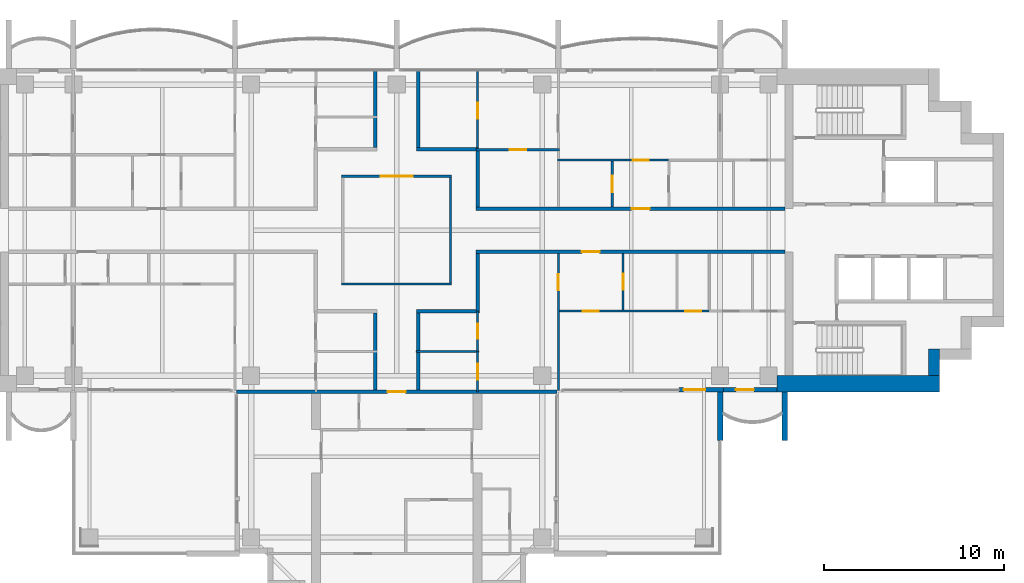
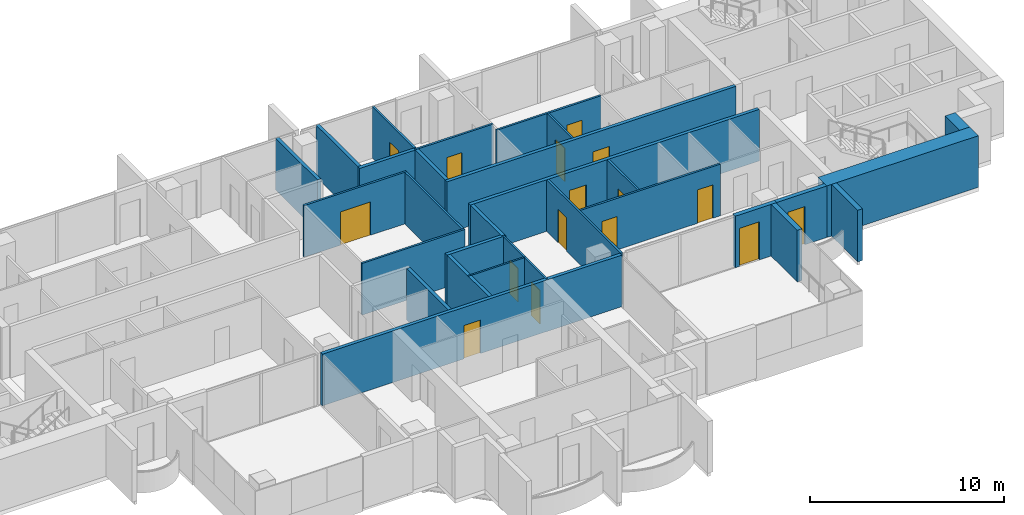
# One storey, part 11 of 17: 30 walls, 16 doors, 16 openings.
"""IFC4 building model written with IfcOpenShell, lengths in metres."""

from ifc_helpers import new_model, si_unit, direction, frame, frame_2d, origin, place, context, subcontext, project, spatial, rectangle, extrude, material, layer, layer_set, type_object, element, fill, save


model = new_model("IFC4")

# Units and contexts
model_context = context("Model", 3, precision=1e-05, world=origin(), true_north=direction((0.0, 1.0)))
body_context = subcontext(model_context, "Body", "Model", "MODEL_VIEW")
ifc_project = project(units=[si_unit("LENGTHUNIT", "METRE"), si_unit("AREAUNIT", "SQUARE_METRE"), si_unit("VOLUMEUNIT", "CUBIC_METRE"), si_unit("PLANEANGLEUNIT", "RADIAN"), si_unit("MASSUNIT", "GRAM", prefix="KILO")], contexts=[model_context])

# Site, building, storey
site_placement = place(None, origin())
site = spatial("IfcSite", under=ifc_project, at=site_placement, CompositionType="ELEMENT")
building_placement = place(site_placement, origin())
building = spatial("IfcBuilding", under=site, at=building_placement, Name="Perihelion Cross Residences", CompositionType="ELEMENT")
storey_placement = place(building_placement, frame((0.0, 0.0, 184.10009765625)))
storey = spatial("IfcBuildingStorey", under=building, at=storey_placement, Name="L45", CompositionType="ELEMENT", Elevation=184.10009765625)

# Wall, opening, door
ifc_material_1 = material(Name="Plasterboard partition")
ifc_layer_1 = layer(ifc_material_1, 0.199951171875)
ifc_layer_set_1 = layer_set([ifc_layer_1], Name="Apartment separation wall 200")
wall_type_1 = type_object("IfcWallType", Name="Apartment separation wall 200", PredefinedType="PARTITIONING", material=ifc_layer_set_1)
wall_1_placement = place(storey_placement, frame((4.39990234375, 1.199951171875, 0.0), z_axis=(0.0, 0.0, 1.0), x_axis=(1.0, 0.0, 0.0)))
wall_1 = element("IfcWall", 1, at=wall_1_placement, inside=storey, type_object=wall_type_1, Name="Partition L45 W005", PredefinedType="PARTITIONING", context=body_context, shape_type="SweptSolid", body=[
    extrude(rectangle(XDim=17.2001953125, YDim=0.199951171875, at=frame_2d((8.60009765625, 0.0))), origin(), (0.0, 0.0, 1.0), 3.25),
])
opening_1_placement = place(wall_1_placement, frame((8.675048828125, 0.0, 0.0)))
opening_1 = element("IfcOpeningElement", 2, at=opening_1_placement, cuts=wall_1, Name="Opening L45.A40", PredefinedType="OPENING", context=body_context, shape_type="SweptSolid", body=[
    extrude(rectangle(XDim=1.0, YDim=2.10009765625, at=frame_2d((0.5, 1.050048828125))), frame((0.0, 0.10986328125, 0.0), z_axis=(0.0, -1.0, 0.0), x_axis=(1.0, 0.0, 0.0)), (0.0, 0.0, 1.0), 0.219970703125),
])
ifc_material_2 = material(Name="Timber door leaf", Category="wood")
door_type_1 = type_object("IfcDoorType", Name="Flat entrance door 1000 x 2100", OperationType="SINGLE_SWING_LEFT", PredefinedType="DOOR", material=ifc_material_2)
door_1_placement = place(opening_1_placement, origin())
door_1 = element("IfcDoor", 3, at=door_1_placement, inside=storey, type_object=door_type_1, Name="Door L45.A40", OperationType="SINGLE_SWING_LEFT", OverallHeight=2.10009765625, OverallWidth=1.0, PredefinedType="DOOR", context=body_context, shape_type="SweptSolid", body=[
    extrude(rectangle(XDim=1.0, YDim=2.10009765625, at=frame_2d((0.5, 1.050048828125))), frame((0.0, 0.02490234375, 0.0), z_axis=(0.0, -1.0, 0.0), x_axis=(1.0, 0.0, 0.0)), (0.0, 0.0, 1.0), 0.050048828125),
])
fill(opening_1, door_1)

# Walls
wall_2_placement = place(storey_placement, frame((4.5, 4.416015625, 0.0), z_axis=(0.0, 0.0, 1.0), x_axis=(0.0, -1.0, 0.0)))
element("IfcWall", 4, at=wall_2_placement, inside=storey, type_object=wall_type_1, Name="Partition L45 W006", PredefinedType="PARTITIONING", context=body_context, shape_type="SweptSolid", body=[
    extrude(rectangle(XDim=3.115966796875, YDim=0.199951171875, at=frame_2d((1.55810546875, 0.0))), origin(), (0.0, 0.0, 1.0), 3.25),
])
wall_3_placement = place(storey_placement, frame((1.199951171875, 8.919921875, 0.0), z_axis=(0.0, 0.0, 1.0), x_axis=(0.0, -1.0, 0.0)))
element("IfcWall", 5, at=wall_3_placement, inside=storey, type_object=wall_type_1, Name="Partition L45 W007", PredefinedType="PARTITIONING", context=body_context, shape_type="SweptSolid", body=[
    extrude(rectangle(XDim=4.31982421875, YDim=0.199951171875, at=frame_2d((2.159912109375, 0.0))), origin(), (0.0, 0.0, 1.0), 3.25),
])
wall_4_placement = place(storey_placement, frame((1.10009765625, 4.5, 0.0), z_axis=(0.0, 0.0, 1.0), x_axis=(1.0, 0.0, 0.0)))
element("IfcWall", 6, at=wall_4_placement, inside=storey, type_object=wall_type_1, Name="Partition L45 W008", PredefinedType="PARTITIONING", context=body_context, shape_type="SweptSolid", body=[
    extrude(rectangle(XDim=3.4599609375, YDim=0.199951171875, at=frame_2d((1.72998046875, 0.0))), origin(), (0.0, 0.0, 1.0), 3.25),
])

# Wall, opening, door
wall_5_placement = place(storey_placement, frame((21.60009765625, -1.199951171875, 0.0), z_axis=(0.0, 0.0, 1.0), x_axis=(-1.0, 0.0, 0.0)))
wall_5 = element("IfcWall", 7, at=wall_5_placement, inside=storey, type_object=wall_type_1, Name="Partition L45 W009", PredefinedType="PARTITIONING", context=body_context, shape_type="SweptSolid", body=[
    extrude(rectangle(XDim=17.2001953125, YDim=0.199951171875, at=frame_2d((8.60009765625, 0.0))), origin(), (0.0, 0.0, 1.0), 3.25),
])
opening_2_placement = place(wall_5_placement, frame((10.300048828125, 0.0, 0.0)))
opening_2 = element("IfcOpeningElement", 8, at=opening_2_placement, cuts=wall_5, Name="Opening L45.A41", PredefinedType="OPENING", context=body_context, shape_type="SweptSolid", body=[
    extrude(rectangle(XDim=1.0, YDim=2.10009765625, at=frame_2d((0.5, 1.050048828125))), frame((0.0, 0.10986328125, 0.0), z_axis=(0.0, -1.0, 0.0), x_axis=(1.0, 0.0, 0.0)), (0.0, 0.0, 1.0), 0.219970703125),
])
door_2_placement = place(opening_2_placement, origin())
door_2 = element("IfcDoor", 9, at=door_2_placement, inside=storey, type_object=door_type_1, Name="Door L45.A41", OperationType="SINGLE_SWING_LEFT", OverallHeight=2.10009765625, OverallWidth=1.0, PredefinedType="DOOR", context=body_context, shape_type="SweptSolid", body=[
    extrude(rectangle(XDim=1.0, YDim=2.10009765625, at=frame_2d((0.5, 1.050048828125))), frame((0.0, 0.02490234375, 0.0), z_axis=(0.0, -1.0, 0.0), x_axis=(1.0, 0.0, 0.0)), (0.0, 0.0, 1.0), 0.050048828125),
])
fill(opening_2, door_2)

# Walls
wall_6_placement = place(storey_placement, frame((4.5, -1.300048828125, 0.0), z_axis=(0.0, 0.0, 1.0), x_axis=(0.0, -1.0, 0.0)))
element("IfcWall", 10, at=wall_6_placement, inside=storey, type_object=wall_type_1, Name="Partition L45 W010", PredefinedType="PARTITIONING", context=body_context, shape_type="SweptSolid", body=[
    extrude(rectangle(XDim=3.199951171875, YDim=0.199951171875, at=frame_2d((1.60009765625, 0.0))), origin(), (0.0, 0.0, 1.0), 3.25),
])
wall_7_placement = place(storey_placement, frame((4.60009765625, -4.5, 0.0), z_axis=(0.0, 0.0, 1.0), x_axis=(-1.0, 0.0, 0.0)))
element("IfcWall", 11, at=wall_7_placement, inside=storey, type_object=wall_type_1, Name="Partition L45 W011", PredefinedType="PARTITIONING", context=body_context, shape_type="SweptSolid", body=[
    extrude(rectangle(XDim=3.5, YDim=0.199951171875, at=frame_2d((1.75, 0.0))), origin(), (0.0, 0.0, 1.0), 3.25),
])
wall_8_placement = place(storey_placement, frame((1.199951171875, -4.60009765625, 0.0), z_axis=(0.0, 0.0, 1.0), x_axis=(0.0, -1.0, 0.0)))
element("IfcWall", 12, at=wall_8_placement, inside=storey, type_object=wall_type_1, Name="Partition L45 W012", PredefinedType="PARTITIONING", context=body_context, shape_type="SweptSolid", body=[
    extrude(rectangle(XDim=4.2998046875, YDim=0.199951171875, at=frame_2d((2.14990234375, 0.0))), origin(), (0.0, 0.0, 1.0), 3.25),
])
wall_9_placement = place(storey_placement, frame((-1.199951171875, 4.60009765625, 0.0), z_axis=(0.0, 0.0, 1.0), x_axis=(0.0, 1.0, 0.0)))
element("IfcWall", 13, at=wall_9_placement, inside=storey, type_object=wall_type_1, Name="Partition L45 W016", PredefinedType="PARTITIONING", context=body_context, shape_type="SweptSolid", body=[
    extrude(rectangle(XDim=4.31982421875, YDim=0.199951171875, at=frame_2d((2.159912109375, 0.0))), origin(), (0.0, 0.0, 1.0), 3.25),
])
wall_10_placement = place(storey_placement, frame((-1.199951171875, -8.89990234375, 0.0), z_axis=(0.0, 0.0, 1.0), x_axis=(0.0, 1.0, 0.0)))
element("IfcWall", 14, at=wall_10_placement, inside=storey, type_object=wall_type_1, Name="Partition L45 W019", PredefinedType="PARTITIONING", context=body_context, shape_type="SweptSolid", body=[
    extrude(rectangle(XDim=4.2998046875, YDim=0.199951171875, at=frame_2d((2.14990234375, 0.0))), origin(), (0.0, 0.0, 1.0), 3.25),
])

# Wall, opening, door
wall_11_placement = place(storey_placement, frame((8.919921875, -9.0, 0.0), z_axis=(0.0, 0.0, 1.0), x_axis=(-1.0, 0.0, 0.0)))
wall_11 = element("IfcWall", 15, at=wall_11_placement, inside=storey, type_object=wall_type_1, Name="Partition L45 W021", PredefinedType="PARTITIONING", context=body_context, shape_type="SweptSolid", body=[
    extrude(rectangle(XDim=17.83984375, YDim=0.199951171875, at=frame_2d((8.919921875, 0.0))), origin(), (0.0, 0.0, 1.0), 3.25),
])
opening_3_placement = place(wall_11_placement, frame((8.419921875, 0.0, 0.0)))
opening_3 = element("IfcOpeningElement", 16, at=opening_3_placement, cuts=wall_11, Name="Opening L45.A34", PredefinedType="OPENING", context=body_context, shape_type="SweptSolid", body=[
    extrude(rectangle(XDim=1.0, YDim=2.10009765625, at=frame_2d((0.5, 1.050048828125))), frame((0.0, 0.10986328125, 0.0), z_axis=(0.0, -1.0, 0.0), x_axis=(1.0, 0.0, 0.0)), (0.0, 0.0, 1.0), 0.219970703125),
])
door_3_placement = place(opening_3_placement, origin())
door_3 = element("IfcDoor", 17, at=door_3_placement, inside=storey, type_object=door_type_1, Name="Door L45.A34", OperationType="SINGLE_SWING_RIGHT", OverallHeight=2.10009765625, OverallWidth=1.0, PredefinedType="DOOR", context=body_context, shape_type="SweptSolid", body=[
    extrude(rectangle(XDim=1.0, YDim=2.10009765625, at=frame_2d((0.5, 1.050048828125))), frame((0.0, 0.02490234375, 0.0), z_axis=(0.0, -1.0, 0.0), x_axis=(1.0, 0.0, 0.0)), (0.0, 0.0, 1.0), 0.050048828125),
])
fill(opening_3, door_3)

ifc_material_3 = material(Name="Concrete C30/37, bronze-clad", Category="concrete")
ifc_layer_2 = layer(ifc_material_3, 0.25)
ifc_layer_set_2 = layer_set([ifc_layer_2], Name="Bronze-clad pier wall 250")
wall_type_2 = type_object("IfcWallType", Name="Bronze-clad pier wall 250", PredefinedType="SOLIDWALL", material=ifc_layer_set_2)
wall_12_placement = place(storey_placement, frame((15.72509765625, -8.875, 0.0), z_axis=(0.0, 0.0, 1.0), x_axis=(1.0, 0.0, 0.0)))
wall_12 = element("IfcWall", 18, at=wall_12_placement, inside=storey, type_object=wall_type_2, Name="Wall FW1 L45 east side south bay 1 pier", PredefinedType="SOLIDWALL", context=body_context, shape_type="SweptSolid", body=[
    extrude(rectangle(XDim=2.474853515625, YDim=0.25, at=frame_2d((1.2373046875, 0.0))), origin(), (0.0, 0.0, 1.0), 3.25),
])
opening_4_placement = place(wall_12_placement, frame((0.25, 0.0, 0.0)))
opening_4 = element("IfcOpeningElement", 19, at=opening_4_placement, cuts=wall_12, Name="Opening L45.E13", PredefinedType="OPENING", context=body_context, shape_type="SweptSolid", body=[
    extrude(rectangle(XDim=1.199951171875, YDim=2.39990234375, at=frame_2d((0.60009765625, 1.199951171875))), frame((0.0, 0.135009765625, 0.0), z_axis=(0.0, -1.0, 0.0), x_axis=(1.0, 0.0, 0.0)), (0.0, 0.0, 1.0), 0.27001953125),
])
ifc_material_4 = material(Name="Bronze anodised aluminium, glazed", Category="aluminium")
door_type_2 = type_object("IfcDoorType", Name="Balcony door 1200 x 2400", OperationType="NOTDEFINED", PredefinedType="DOOR", material=ifc_material_4)
door_4_placement = place(opening_4_placement, origin())
door_4 = element("IfcDoor", 20, at=door_4_placement, inside=storey, type_object=door_type_2, Name="Door L45.E13 east side south bay 1", OperationType="SINGLE_SWING_LEFT", OverallHeight=2.39990234375, OverallWidth=1.199951171875, PredefinedType="DOOR", context=body_context, shape_type="SweptSolid", body=[
    extrude(rectangle(XDim=1.199951171875, YDim=2.39990234375, at=frame_2d((0.60009765625, 1.199951171875))), frame((0.0, 0.02490234375, 0.0), z_axis=(0.0, -1.0, 0.0), x_axis=(1.0, 0.0, 0.0)), (0.0, 0.0, 1.0), 0.050048828125),
])
fill(opening_4, door_4)

wall_13_placement = place(storey_placement, frame((18.199951171875, -8.875, 0.0), z_axis=(0.0, 0.0, 1.0), x_axis=(1.0, 0.0, 0.0)))
wall_13 = element("IfcWall", 21, at=wall_13_placement, inside=storey, type_object=wall_type_2, Name="Wall FW1 L45 east side south bay 2 pier", PredefinedType="SOLIDWALL", context=body_context, shape_type="SweptSolid", body=[
    extrude(rectangle(XDim=2.97509765625, YDim=0.25, at=frame_2d((1.487548828125, 0.0))), origin(), (0.0, 0.0, 1.0), 3.25),
])
opening_5_placement = place(wall_13_placement, frame((0.675048828125, 0.0, 0.0)))
opening_5 = element("IfcOpeningElement", 22, at=opening_5_placement, cuts=wall_13, Name="Opening L45.E14", PredefinedType="OPENING", context=body_context, shape_type="SweptSolid", body=[
    extrude(rectangle(XDim=1.0, YDim=2.39990234375, at=frame_2d((0.5, 1.199951171875))), frame((0.0, 0.135009765625, 0.0), z_axis=(0.0, -1.0, 0.0), x_axis=(1.0, 0.0, 0.0)), (0.0, 0.0, 1.0), 0.27001953125),
])
ifc_material_5 = material(Name="Bronze anodised aluminium, glazed", Category="aluminium")
door_type_3 = type_object("IfcDoorType", Name="Balcony door 1000 x 2400", OperationType="NOTDEFINED", PredefinedType="DOOR", material=ifc_material_5)
door_5_placement = place(opening_5_placement, origin())
door_5 = element("IfcDoor", 23, at=door_5_placement, inside=storey, type_object=door_type_3, Name="Door L45.E14 east side south bay 2", OperationType="SINGLE_SWING_RIGHT", OverallHeight=2.39990234375, OverallWidth=1.0, PredefinedType="DOOR", context=body_context, shape_type="SweptSolid", body=[
    extrude(rectangle(XDim=1.0, YDim=2.39990234375, at=frame_2d((0.5, 1.199951171875))), frame((0.0, 0.02490234375, 0.0), z_axis=(0.0, -1.0, 0.0), x_axis=(1.0, 0.0, 0.0)), (0.0, 0.0, 1.0), 0.050048828125),
])
fill(opening_5, door_5)

# Walls
ifc_material_6 = material(Name="Concrete C60/75", Category="concrete")
ifc_layer_3 = layer(ifc_material_6, 0.60009765625)
ifc_layer_set_3 = layer_set([ifc_layer_3], Name="Core wall, outer 600")
wall_type_3 = type_object("IfcWallType", Name="Core wall, outer 600", PredefinedType="SHEAR", material=ifc_layer_set_3)
wall_14_placement = place(storey_placement, frame((29.89990234375, -8.10009765625, 0.0), z_axis=(0.0, 0.0, 1.0), x_axis=(0.0, 1.0, 0.0)))
element("IfcWall", 24, at=wall_14_placement, inside=storey, type_object=wall_type_3, Name="East core core wall, outer", PredefinedType="SHEAR", context=body_context, shape_type="SweptSolid", body=[
    extrude(rectangle(XDim=1.5, YDim=0.60009765625, at=frame_2d((0.75, 0.0))), origin(), (0.0, 0.0, 1.0), 3.25),
])
ifc_material_7 = material(Name="Concrete C60/75", Category="concrete")
ifc_layer_4 = layer(ifc_material_7, 0.89990234375)
ifc_layer_set_4 = layer_set([ifc_layer_4], Name="Core wall, outer 900")
wall_type_4 = type_object("IfcWallType", Name="Core wall, outer 900", PredefinedType="SHEAR", material=ifc_layer_set_4)
wall_15_placement = place(storey_placement, frame((21.175048828125, -8.550048828125, 0.0), z_axis=(0.0, 0.0, 1.0), x_axis=(1.0, 0.0, 0.0)))
element("IfcWall", 25, at=wall_15_placement, inside=storey, type_object=wall_type_4, Name="East core core wall, outer", PredefinedType="SHEAR", context=body_context, shape_type="SweptSolid", body=[
    extrude(rectangle(XDim=9.02490234375, YDim=0.89990234375, at=frame_2d((4.512451171875, 0.0))), origin(), (0.0, 0.0, 1.0), 3.25),
])
ifc_material_8 = material(Name="Plasterboard partition")
ifc_layer_5 = layer(ifc_material_8, 0.1201171875)
ifc_layer_set_5 = layer_set([ifc_layer_5], Name="Partition wall 120")
wall_type_5 = type_object("IfcWallType", Name="Partition wall 120", PredefinedType="PARTITIONING", material=ifc_layer_set_5)
wall_16_placement = place(storey_placement, frame((-3.06005859375, -3.0, 0.0), z_axis=(0.0, 0.0, 1.0), x_axis=(1.0, 0.0, 0.0)))
element("IfcWall", 26, at=wall_16_placement, inside=storey, type_object=wall_type_5, Name="Partition L45 W001", PredefinedType="PARTITIONING", context=body_context, shape_type="SweptSolid", body=[
    extrude(rectangle(XDim=6.1201171875, YDim=0.1201171875, at=frame_2d((3.06005859375, 0.0))), origin(), (0.0, 0.0, 1.0), 3.25),
])
wall_17_placement = place(storey_placement, frame((3.0, -2.93994140625, 0.0), z_axis=(0.0, 0.0, 1.0), x_axis=(0.0, 1.0, 0.0)))
element("IfcWall", 27, at=wall_17_placement, inside=storey, type_object=wall_type_5, Name="Partition L45 W002", PredefinedType="PARTITIONING", context=body_context, shape_type="SweptSolid", body=[
    extrude(rectangle(XDim=5.8798828125, YDim=0.1201171875, at=frame_2d((2.93994140625, 0.0))), origin(), (0.0, 0.0, 1.0), 3.25),
])

# Wall, opening, door
wall_18_placement = place(storey_placement, frame((3.06005859375, 3.0, 0.0), z_axis=(0.0, 0.0, 1.0), x_axis=(-1.0, 0.0, 0.0)))
wall_18 = element("IfcWall", 28, at=wall_18_placement, inside=storey, type_object=wall_type_5, Name="Partition L45 W003", PredefinedType="PARTITIONING", context=body_context, shape_type="SweptSolid", body=[
    extrude(rectangle(XDim=6.1201171875, YDim=0.1201171875, at=frame_2d((3.06005859375, 0.0))), origin(), (0.0, 0.0, 1.0), 3.25),
])
opening_6_placement = place(wall_18_placement, frame((2.159912109375, 0.0, 0.0)))
opening_6 = element("IfcOpeningElement", 29, at=opening_6_placement, cuts=wall_18, Name="Opening L45.A01", PredefinedType="OPENING", context=body_context, shape_type="SweptSolid", body=[
    extrude(rectangle(XDim=1.800048828125, YDim=2.10009765625, at=frame_2d((0.89990234375, 1.050048828125))), frame((0.0, 0.070068359375, 0.0), z_axis=(0.0, -1.0, 0.0), x_axis=(1.0, 0.0, 0.0)), (0.0, 0.0, 1.0), 0.14013671875),
])
ifc_material_9 = material(Name="Glazed timber door leaf", Category="wood")
door_type_4 = type_object("IfcDoorType", Name="Interior double leaf door 1800 x 2100", OperationType="DOUBLE_DOOR_SINGLE_SWING", PredefinedType="DOOR", material=ifc_material_9)
door_6_placement = place(opening_6_placement, origin())
door_6 = element("IfcDoor", 30, at=door_6_placement, inside=storey, type_object=door_type_4, Name="Door L45.A01", OperationType="SINGLE_SWING_LEFT", OverallHeight=2.10009765625, OverallWidth=1.800048828125, PredefinedType="DOOR", context=body_context, shape_type="SweptSolid", body=[
    extrude(rectangle(XDim=1.800048828125, YDim=2.10009765625, at=frame_2d((0.89990234375, 1.050048828125))), frame((0.0, 0.02490234375, 0.0), z_axis=(0.0, -1.0, 0.0), x_axis=(1.0, 0.0, 0.0)), (0.0, 0.0, 1.0), 0.050048828125),
])
fill(opening_6, door_6)

wall_19_placement = place(storey_placement, frame((12.0, 3.840087890625, 0.0), z_axis=(0.0, 0.0, 1.0), x_axis=(0.0, -1.0, 0.0)))
wall_19 = element("IfcWall", 31, at=wall_19_placement, inside=storey, type_object=wall_type_5, Name="Partition L45 W022", PredefinedType="PARTITIONING", context=body_context, shape_type="SweptSolid", body=[
    extrude(rectangle(XDim=2.5400390625, YDim=0.1201171875, at=frame_2d((1.27001953125, 0.0))), origin(), (0.0, 0.0, 1.0), 3.25),
])
opening_7_placement = place(wall_19_placement, frame((0.820068359375, 0.0, 0.0)))
opening_7 = element("IfcOpeningElement", 32, at=opening_7_placement, cuts=wall_19, Name="Opening L45.A03", PredefinedType="OPENING", context=body_context, shape_type="SweptSolid", body=[
    extrude(rectangle(XDim=0.89990234375, YDim=2.10009765625, at=frame_2d((0.449951171875, 1.050048828125))), frame((0.0, 0.070068359375, 0.0), z_axis=(0.0, -1.0, 0.0), x_axis=(1.0, 0.0, 0.0)), (0.0, 0.0, 1.0), 0.14013671875),
])
ifc_material_10 = material(Name="Timber door leaf", Category="wood")
door_type_5 = type_object("IfcDoorType", Name="Interior room door 900 x 2100", OperationType="SINGLE_SWING_LEFT", PredefinedType="DOOR", material=ifc_material_10)
door_7_placement = place(opening_7_placement, origin())
door_7 = element("IfcDoor", 33, at=door_7_placement, inside=storey, type_object=door_type_5, Name="Door L45.A03", OperationType="SINGLE_SWING_RIGHT", OverallHeight=2.10009765625, OverallWidth=0.89990234375, PredefinedType="DOOR", context=body_context, shape_type="SweptSolid", body=[
    extrude(rectangle(XDim=0.89990234375, YDim=2.10009765625, at=frame_2d((0.449951171875, 1.050048828125))), frame((0.0, 0.02490234375, 0.0), z_axis=(0.0, -1.0, 0.0), x_axis=(1.0, 0.0, 0.0)), (0.0, 0.0, 1.0), 0.050048828125),
])
fill(opening_7, door_7)

wall_20_placement = place(storey_placement, frame((8.93994140625, 3.89990234375, 0.0), z_axis=(0.0, 0.0, 1.0), x_axis=(1.0, 0.0, 0.0)))
wall_20 = element("IfcWall", 34, at=wall_20_placement, inside=storey, type_object=wall_type_5, Name="Partition L45 W023", PredefinedType="PARTITIONING", context=body_context, shape_type="SweptSolid", body=[
    extrude(rectangle(XDim=6.2099609375, YDim=0.1201171875, at=frame_2d((3.10498046875, 0.0))), origin(), (0.0, 0.0, 1.0), 3.25),
])
opening_8_placement = place(wall_20_placement, frame((4.18505859375, 0.0, 0.0)))
opening_8 = element("IfcOpeningElement", 35, at=opening_8_placement, cuts=wall_20, Name="Opening L45.A08", PredefinedType="OPENING", context=body_context, shape_type="SweptSolid", body=[
    extrude(rectangle(XDim=0.89990234375, YDim=2.10009765625, at=frame_2d((0.449951171875, 1.050048828125))), frame((0.0, 0.070068359375, 0.0), z_axis=(0.0, -1.0, 0.0), x_axis=(1.0, 0.0, 0.0)), (0.0, 0.0, 1.0), 0.14013671875),
])
door_8_placement = place(opening_8_placement, origin())
door_8 = element("IfcDoor", 36, at=door_8_placement, inside=storey, type_object=door_type_5, Name="Door L45.A08", OperationType="SINGLE_SWING_LEFT", OverallHeight=2.10009765625, OverallWidth=0.89990234375, PredefinedType="DOOR", context=body_context, shape_type="SweptSolid", body=[
    extrude(rectangle(XDim=0.89990234375, YDim=2.10009765625, at=frame_2d((0.449951171875, 1.050048828125))), frame((0.0, 0.02490234375, 0.0), z_axis=(0.0, -1.0, 0.0), x_axis=(1.0, 0.0, 0.0)), (0.0, 0.0, 1.0), 0.050048828125),
])
fill(opening_8, door_8)

wall_21_placement = place(storey_placement, frame((4.39990234375, 4.47607421875, 0.0), z_axis=(0.0, 0.0, 1.0), x_axis=(1.0, 0.0, 0.0)))
wall_21 = element("IfcWall", 37, at=wall_21_placement, inside=storey, type_object=wall_type_5, Name="Partition L45 W030", PredefinedType="PARTITIONING", context=body_context, shape_type="SweptSolid", body=[
    extrude(rectangle(XDim=4.66015625, YDim=0.1201171875, at=frame_2d((2.330078125, 0.0))), origin(), (0.0, 0.0, 1.0), 3.25),
])
opening_9_placement = place(wall_21_placement, frame((1.89990234375, 0.0, 0.0)))
opening_9 = element("IfcOpeningElement", 38, at=opening_9_placement, cuts=wall_21, Name="Opening L45.A04", PredefinedType="OPENING", context=body_context, shape_type="SweptSolid", body=[
    extrude(rectangle(XDim=0.89990234375, YDim=2.10009765625, at=frame_2d((0.449951171875, 1.050048828125))), frame((0.0, 0.070068359375, 0.0), z_axis=(0.0, -1.0, 0.0), x_axis=(1.0, 0.0, 0.0)), (0.0, 0.0, 1.0), 0.14013671875),
])
door_9_placement = place(opening_9_placement, origin())
door_9 = element("IfcDoor", 39, at=door_9_placement, inside=storey, type_object=door_type_5, Name="Door L45.A04", OperationType="SINGLE_SWING_LEFT", OverallHeight=2.10009765625, OverallWidth=0.89990234375, PredefinedType="DOOR", context=body_context, shape_type="SweptSolid", body=[
    extrude(rectangle(XDim=0.89990234375, YDim=2.10009765625, at=frame_2d((0.449951171875, 1.050048828125))), frame((0.0, 0.02490234375, 0.0), z_axis=(0.0, -1.0, 0.0), x_axis=(1.0, 0.0, 0.0)), (0.0, 0.0, 1.0), 0.050048828125),
])
fill(opening_9, door_9)

wall_22_placement = place(storey_placement, frame((4.5, 4.60009765625, 0.0), z_axis=(0.0, 0.0, 1.0), x_axis=(0.0, 1.0, 0.0)))
wall_22 = element("IfcWall", 40, at=wall_22_placement, inside=storey, type_object=wall_type_5, Name="Partition L45 W031", PredefinedType="PARTITIONING", context=body_context, shape_type="SweptSolid", body=[
    extrude(rectangle(XDim=4.31982421875, YDim=0.1201171875, at=frame_2d((2.159912109375, 0.0))), origin(), (0.0, 0.0, 1.0), 3.25),
])
opening_10_placement = place(wall_22_placement, frame((1.60009765625, 0.0, 0.0)))
opening_10 = element("IfcOpeningElement", 41, at=opening_10_placement, cuts=wall_22, Name="Opening L45.A05", PredefinedType="OPENING", context=body_context, shape_type="SweptSolid", body=[
    extrude(rectangle(XDim=0.89990234375, YDim=2.10009765625, at=frame_2d((0.449951171875, 1.050048828125))), frame((0.0, 0.070068359375, 0.0), z_axis=(0.0, -1.0, 0.0), x_axis=(1.0, 0.0, 0.0)), (0.0, 0.0, 1.0), 0.14013671875),
])
door_10_placement = place(opening_10_placement, origin())
door_10 = element("IfcDoor", 42, at=door_10_placement, inside=storey, type_object=door_type_5, Name="Door L45.A05", OperationType="SINGLE_SWING_LEFT", OverallHeight=2.10009765625, OverallWidth=0.89990234375, PredefinedType="DOOR", context=body_context, shape_type="SweptSolid", body=[
    extrude(rectangle(XDim=0.89990234375, YDim=2.10009765625, at=frame_2d((0.449951171875, 1.050048828125))), frame((0.0, 0.02490234375, 0.0), z_axis=(0.0, -1.0, 0.0), x_axis=(1.0, 0.0, 0.0)), (0.0, 0.0, 1.0), 0.050048828125),
])
fill(opening_10, door_10)

wall_23_placement = place(storey_placement, frame((12.60009765625, -1.300048828125, 0.0), z_axis=(0.0, 0.0, 1.0), x_axis=(0.0, -1.0, 0.0)))
wall_23 = element("IfcWall", 43, at=wall_23_placement, inside=storey, type_object=wall_type_5, Name="Partition L45 W032", PredefinedType="PARTITIONING", context=body_context, shape_type="SweptSolid", body=[
    extrude(rectangle(XDim=3.139892578125, YDim=0.1201171875, at=frame_2d((1.56982421875, 0.0))), origin(), (0.0, 0.0, 1.0), 3.25),
])
opening_11_placement = place(wall_23_placement, frame((1.1201171875, 0.0, 0.0)))
opening_11 = element("IfcOpeningElement", 44, at=opening_11_placement, cuts=wall_23, Name="Opening L45.A14", PredefinedType="OPENING", context=body_context, shape_type="SweptSolid", body=[
    extrude(rectangle(XDim=0.89990234375, YDim=2.10009765625, at=frame_2d((0.449951171875, 1.050048828125))), frame((0.0, 0.070068359375, 0.0), z_axis=(0.0, -1.0, 0.0), x_axis=(1.0, 0.0, 0.0)), (0.0, 0.0, 1.0), 0.14013671875),
])
door_11_placement = place(opening_11_placement, origin())
door_11 = element("IfcDoor", 45, at=door_11_placement, inside=storey, type_object=door_type_5, Name="Door L45.A14", OperationType="SINGLE_SWING_RIGHT", OverallHeight=2.10009765625, OverallWidth=0.89990234375, PredefinedType="DOOR", context=body_context, shape_type="SweptSolid", body=[
    extrude(rectangle(XDim=0.89990234375, YDim=2.10009765625, at=frame_2d((0.449951171875, 1.050048828125))), frame((0.0, 0.02490234375, 0.0), z_axis=(0.0, -1.0, 0.0), x_axis=(1.0, 0.0, 0.0)), (0.0, 0.0, 1.0), 0.050048828125),
])
fill(opening_11, door_11)

# Wall, openings, doors
wall_24_placement = place(storey_placement, frame((17.39990234375, -4.5, 0.0), z_axis=(0.0, 0.0, 1.0), x_axis=(-1.0, 0.0, 0.0)))
wall_24 = element("IfcWall", 46, at=wall_24_placement, inside=storey, type_object=wall_type_5, Name="Partition L45 W033", PredefinedType="PARTITIONING", context=body_context, shape_type="SweptSolid", body=[
    extrude(rectangle(XDim=8.4599609375, YDim=0.1201171875, at=frame_2d((4.22998046875, 0.0))), origin(), (0.0, 0.0, 1.0), 3.25),
])
opening_12_placement = place(wall_24_placement, frame((0.449951171875, 0.0, 0.0)))
opening_12 = element("IfcOpeningElement", 47, at=opening_12_placement, cuts=wall_24, Name="Opening L45.A15", PredefinedType="OPENING", context=body_context, shape_type="SweptSolid", body=[
    extrude(rectangle(XDim=0.89990234375, YDim=2.10009765625, at=frame_2d((0.449951171875, 1.050048828125))), frame((0.0, 0.070068359375, 0.0), z_axis=(0.0, -1.0, 0.0), x_axis=(1.0, 0.0, 0.0)), (0.0, 0.0, 1.0), 0.14013671875),
])
opening_13_placement = place(wall_24_placement, frame((6.14990234375, 0.0, 0.0)))
opening_13 = element("IfcOpeningElement", 48, at=opening_13_placement, cuts=wall_24, Name="Opening L45.A17", PredefinedType="OPENING", context=body_context, shape_type="SweptSolid", body=[
    extrude(rectangle(XDim=0.89990234375, YDim=2.10009765625, at=frame_2d((0.449951171875, 1.050048828125))), frame((0.0, 0.070068359375, 0.0), z_axis=(0.0, -1.0, 0.0), x_axis=(1.0, 0.0, 0.0)), (0.0, 0.0, 1.0), 0.14013671875),
])
door_12_placement = place(opening_12_placement, origin())
door_12 = element("IfcDoor", 49, at=door_12_placement, inside=storey, type_object=door_type_5, Name="Door L45.A15", OperationType="SINGLE_SWING_RIGHT", OverallHeight=2.10009765625, OverallWidth=0.89990234375, PredefinedType="DOOR", context=body_context, shape_type="SweptSolid", body=[
    extrude(rectangle(XDim=0.89990234375, YDim=2.10009765625, at=frame_2d((0.449951171875, 1.050048828125))), frame((0.0, 0.02490234375, 0.0), z_axis=(0.0, -1.0, 0.0), x_axis=(1.0, 0.0, 0.0)), (0.0, 0.0, 1.0), 0.050048828125),
])
fill(opening_12, door_12)
door_13_placement = place(opening_13_placement, origin())
door_13 = element("IfcDoor", 50, at=door_13_placement, inside=storey, type_object=door_type_5, Name="Door L45.A17", OperationType="SINGLE_SWING_RIGHT", OverallHeight=2.10009765625, OverallWidth=0.89990234375, PredefinedType="DOOR", context=body_context, shape_type="SweptSolid", body=[
    extrude(rectangle(XDim=0.89990234375, YDim=2.10009765625, at=frame_2d((0.449951171875, 1.050048828125))), frame((0.0, 0.02490234375, 0.0), z_axis=(0.0, -1.0, 0.0), x_axis=(1.0, 0.0, 0.0)), (0.0, 0.0, 1.0), 0.050048828125),
])
fill(opening_13, door_13)

# Wall, opening, door
wall_25_placement = place(storey_placement, frame((9.0, -8.919921875, 0.0), z_axis=(0.0, 0.0, 1.0), x_axis=(0.0, 1.0, 0.0)))
wall_25 = element("IfcWall", 51, at=wall_25_placement, inside=storey, type_object=wall_type_5, Name="Partition L45 W034", PredefinedType="PARTITIONING", context=body_context, shape_type="SweptSolid", body=[
    extrude(rectangle(XDim=7.619873046875, YDim=0.1201171875, at=frame_2d((3.81005859375, 0.0))), origin(), (0.0, 0.0, 1.0), 3.25),
])
opening_14_placement = place(wall_25_placement, frame((5.570068359375, 0.0, 0.0)))
opening_14 = element("IfcOpeningElement", 52, at=opening_14_placement, cuts=wall_25, Name="Opening L45.A13", PredefinedType="OPENING", context=body_context, shape_type="SweptSolid", body=[
    extrude(rectangle(XDim=0.89990234375, YDim=2.10009765625, at=frame_2d((0.449951171875, 1.050048828125))), frame((0.0, 0.070068359375, 0.0), z_axis=(0.0, -1.0, 0.0), x_axis=(1.0, 0.0, 0.0)), (0.0, 0.0, 1.0), 0.14013671875),
])
door_14_placement = place(opening_14_placement, origin())
door_14 = element("IfcDoor", 53, at=door_14_placement, inside=storey, type_object=door_type_5, Name="Door L45.A13", OperationType="SINGLE_SWING_LEFT", OverallHeight=2.10009765625, OverallWidth=0.89990234375, PredefinedType="DOOR", context=body_context, shape_type="SweptSolid", body=[
    extrude(rectangle(XDim=0.89990234375, YDim=2.10009765625, at=frame_2d((0.449951171875, 1.050048828125))), frame((0.0, 0.02490234375, 0.0), z_axis=(0.0, -1.0, 0.0), x_axis=(1.0, 0.0, 0.0)), (0.0, 0.0, 1.0), 0.050048828125),
])
fill(opening_14, door_14)

wall_26_placement = place(storey_placement, frame((4.5, -9.0, 0.0), z_axis=(0.0, 0.0, 1.0), x_axis=(0.0, 1.0, 0.0)))
wall_26 = element("IfcWall", 54, at=wall_26_placement, inside=storey, type_object=wall_type_5, Name="Partition L45 W041", PredefinedType="PARTITIONING", context=body_context, shape_type="SweptSolid", body=[
    extrude(rectangle(XDim=2.25, YDim=0.1201171875, at=frame_2d((1.125, 0.0))), origin(), (0.0, 0.0, 1.0), 3.25),
])
opening_15_placement = place(wall_26_placement, frame((0.675048828125, 0.0, 0.0)))
opening_15 = element("IfcOpeningElement", 55, at=opening_15_placement, cuts=wall_26, Name="Opening L45.A16", PredefinedType="OPENING", context=body_context, shape_type="SweptSolid", body=[
    extrude(rectangle(XDim=0.89990234375, YDim=2.10009765625, at=frame_2d((0.449951171875, 1.050048828125))), frame((0.0, 0.070068359375, 0.0), z_axis=(0.0, -1.0, 0.0), x_axis=(1.0, 0.0, 0.0)), (0.0, 0.0, 1.0), 0.14013671875),
])
door_15_placement = place(opening_15_placement, origin())
door_15 = element("IfcDoor", 56, at=door_15_placement, inside=storey, type_object=door_type_5, Name="Door L45.A16", OperationType="SINGLE_SWING_LEFT", OverallHeight=2.10009765625, OverallWidth=0.89990234375, PredefinedType="DOOR", context=body_context, shape_type="SweptSolid", body=[
    extrude(rectangle(XDim=0.89990234375, YDim=2.10009765625, at=frame_2d((0.449951171875, 1.050048828125))), frame((0.0, 0.02490234375, 0.0), z_axis=(0.0, -1.0, 0.0), x_axis=(1.0, 0.0, 0.0)), (0.0, 0.0, 1.0), 0.050048828125),
])
fill(opening_15, door_15)

# Walls
ifc_material_11 = material(Name="Precast concrete C50/60", Category="concrete")
ifc_layer_6 = layer(ifc_material_11, 0.300048828125)
ifc_layer_set_6 = layer_set([ifc_layer_6], Name="Precast concrete C50/60 blade wall 300")
wall_type_6 = type_object("IfcWallType", Name="Precast concrete C50/60 blade wall 300", PredefinedType="SOLIDWALL", material=ifc_layer_set_6)
for number, where, z_axis, x_axis, name in (
    (57, (18.0, -9.0, 0.0), (0.0, 0.0, 1.0), (0.0, -1.0, 0.0), "Wall BL1 L45 no. 10"),
    (58, (21.60009765625, -9.0, 0.0), (0.0, 0.0, 1.0), (0.0, -1.0, 0.0), "Wall BL1 L45 no. 12"),
):
    element("IfcWall", number, at=place(storey_placement, frame(where, z_axis=z_axis, x_axis=x_axis)), inside=storey, type_object=wall_type_6, Name=name, PredefinedType="SOLIDWALL", context=body_context, shape_type="SweptSolid", body=[
        extrude(rectangle(XDim=2.699951171875, YDim=0.300048828125, at=frame_2d((1.35009765625, 0.0))), origin(), (0.0, 0.0, 1.0), 3.25),
    ])

# Wall, opening, door
ifc_material_12 = material(Name="Plasterboard partition")
ifc_layer_7 = layer(ifc_material_12, 0.10009765625)
ifc_layer_set_7 = layer_set([ifc_layer_7], Name="Wet room wall 100")
wall_type_7 = type_object("IfcWallType", Name="Wet room wall 100", PredefinedType="PARTITIONING", material=ifc_layer_set_7)
wall_27_placement = place(storey_placement, frame((4.5, -6.75, 0.0), z_axis=(0.0, 0.0, 1.0), x_axis=(0.0, 1.0, 0.0)))
wall_27 = element("IfcWall", 59, at=wall_27_placement, inside=storey, type_object=wall_type_7, Name="Partition L45 W040", PredefinedType="PARTITIONING", context=body_context, shape_type="SweptSolid", body=[
    extrude(rectangle(XDim=2.25, YDim=0.10009765625, at=frame_2d((1.125, 0.0))), origin(), (0.0, 0.0, 1.0), 3.25),
])
opening_16_placement = place(wall_27_placement, frame((0.699951171875, 0.0, 0.0)))
opening_16 = element("IfcOpeningElement", 60, at=opening_16_placement, cuts=wall_27, Name="Opening L45.A12", PredefinedType="OPENING", context=body_context, shape_type="SweptSolid", body=[
    extrude(rectangle(XDim=0.85009765625, YDim=2.10009765625, at=frame_2d((0.425048828125, 1.050048828125))), frame((0.0, 0.06005859375, 0.0), z_axis=(0.0, -1.0, 0.0), x_axis=(1.0, 0.0, 0.0)), (0.0, 0.0, 1.0), 0.1201171875),
])
ifc_material_13 = material(Name="Timber door leaf", Category="wood")
door_type_6 = type_object("IfcDoorType", Name="Interior bathroom door 850 x 2100", OperationType="SINGLE_SWING_LEFT", PredefinedType="DOOR", material=ifc_material_13)
door_16_placement = place(opening_16_placement, origin())
door_16 = element("IfcDoor", 61, at=door_16_placement, inside=storey, type_object=door_type_6, Name="Door L45.A12", OperationType="SINGLE_SWING_RIGHT", OverallHeight=2.10009765625, OverallWidth=0.85009765625, PredefinedType="DOOR", context=body_context, shape_type="SweptSolid", body=[
    extrude(rectangle(XDim=0.85009765625, YDim=2.10009765625, at=frame_2d((0.425048828125, 1.050048828125))), frame((0.0, 0.02490234375, 0.0), z_axis=(0.0, -1.0, 0.0), x_axis=(1.0, 0.0, 0.0)), (0.0, 0.0, 1.0), 0.050048828125),
])
fill(opening_16, door_16)

# Wall
wall_28_placement = place(storey_placement, frame((4.56005859375, -6.75, 0.0), z_axis=(0.0, 0.0, 1.0), x_axis=(-1.0, 0.0, 0.0)))
element("IfcWall", 62, at=wall_28_placement, inside=storey, type_object=wall_type_7, Name="Partition L45 W042", PredefinedType="PARTITIONING", context=body_context, shape_type="SweptSolid", body=[
    extrude(rectangle(XDim=3.4599609375, YDim=0.10009765625, at=frame_2d((1.72998046875, 0.0))), origin(), (0.0, 0.0, 1.0), 3.25),
])

save(model, "model.ifc")
